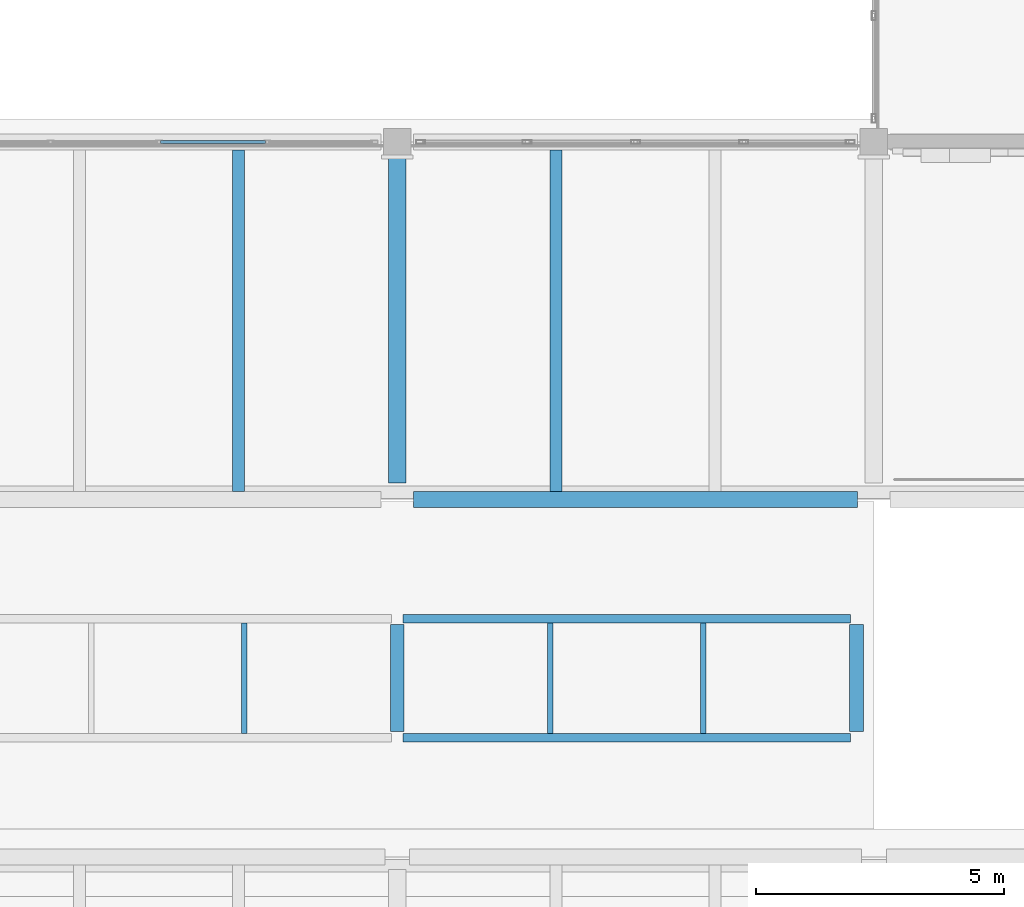
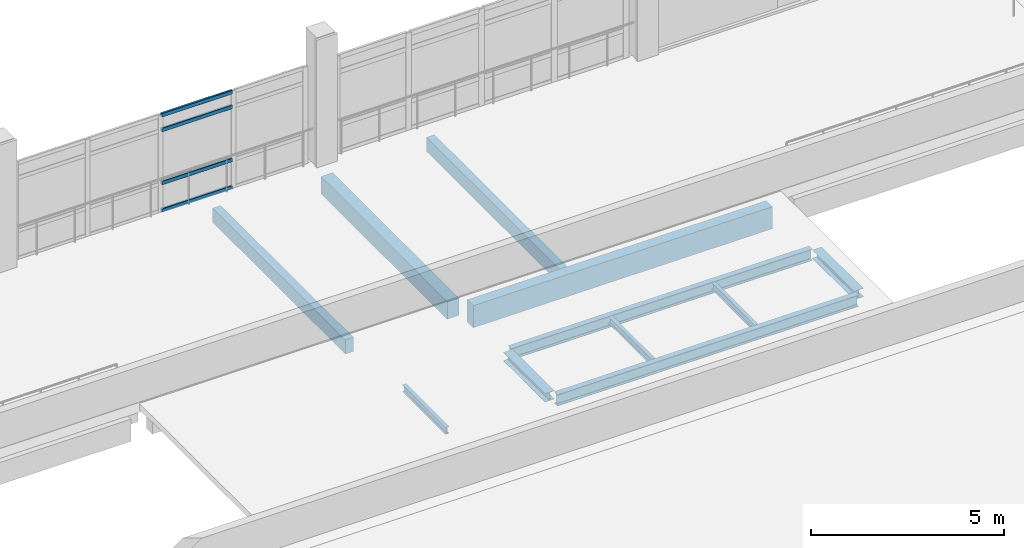
# One storey, part 11 of 50: 11 beams, 4 members, 1 element without a shape of its own.
"""IFC4 building model written with IfcOpenShell, lengths in metres."""

from ifc_helpers import new_model, si_unit, direction, frame, origin, origin_2d, place, context, subcontext, project, spatial, rectangle, hollow_rectangle, i_section, extrude, material, layer, layer_set, material_profile, profile_set, type_object, element, aggregate, save


model = new_model("IFC4")

# Units and contexts
model_context = context("Model", 3, precision=1e-05, world=origin(), true_north=direction((0.0, 1.0)))
body_context = subcontext(model_context, "Body", "Model", "MODEL_VIEW")
ifc_project = project(units=[si_unit("LENGTHUNIT", "METRE"), si_unit("AREAUNIT", "SQUARE_METRE"), si_unit("VOLUMEUNIT", "CUBIC_METRE"), si_unit("PLANEANGLEUNIT", "RADIAN"), si_unit("MASSUNIT", "GRAM", prefix="KILO")], contexts=[model_context])

# Site, building, storey
site_placement = place(None, origin())
site = spatial("IfcSite", under=ifc_project, at=site_placement, CompositionType="ELEMENT")
building_placement = place(site_placement, origin())
building = spatial("IfcBuilding", under=site, at=building_placement, Name="Asteropetra Specialist Clinic", CompositionType="ELEMENT")
storey_placement = place(building_placement, frame((0.0, 0.0, 16.659912109375)))
storey = spatial("IfcBuildingStorey", under=building, at=storey_placement, Name="L04", CompositionType="ELEMENT", Elevation=16.659912109375)

# Beams
ifc_material_1 = material(Name="Concrete C35/45", Category="concrete")
ifc_material_profile_1 = material_profile(ifc_material_1, rectangle(XDim=0.35009765625, YDim=0.550048828125, at=origin_2d()), Name="RCB 350x550")
ifc_profile_set_1 = profile_set([ifc_material_profile_1], Name="Concrete C35/45")
beam_type_1 = type_object("IfcBeamType", Name="BM-RC350x550", PredefinedType="BEAM", material=ifc_profile_set_1)
beam_1_placement = place(storey_placement, frame((19.199951171875, 69.925048828125, -0.5849609375), z_axis=(0.0, 1.0, 0.0), x_axis=(-1.0, 0.0, 0.0)))
element("IfcBeam", 1, at=beam_1_placement, inside=storey, type_object=beam_type_1, Name="Beam BBM10-1693", PredefinedType="BEAM", context=body_context, shape_type="SweptSolid", body=[
    extrude(rectangle(XDim=0.35009765625, YDim=0.550048828125, at=origin_2d()), origin(), (0.0, 0.0, 1.0), 6.550048828125),
])
ifc_material_2 = material(Name="Steel S355", Category="steel")
ifc_material_profile_2 = material_profile(ifc_material_2, i_section(OverallWidth=0.280029296875, OverallDepth=0.27001953125, WebThickness=0.008056640625, FlangeThickness=0.012939453125, FilletRadius=0.02392578125, at=origin_2d()), Name="HEA 280")
ifc_profile_set_2 = profile_set([ifc_material_profile_2], Name="Steel S355")
beam_type_2 = type_object("IfcBeamType", Name="BM-STL-HEA280", PredefinedType="BEAM", material=ifc_profile_set_2)
for number, where, z_axis, x_axis, name in (
    (2, (19.199951171875, 64.919921875, -0.324951171875), (0.0, 1.0, 0.0), (-1.0, 0.0, 0.0), "Beam BBMS6-1977"),
    (3, (28.449951171875, 64.919921875, -0.324951171875), (0.0, 1.0, 0.0), (-1.0, 0.0, 0.0), "Beam BBMS6-1978"),
):
    element("IfcBeam", number, at=place(storey_placement, frame(where, z_axis=z_axis, x_axis=x_axis)), inside=storey, type_object=beam_type_2, Name=name, PredefinedType="BEAM", context=body_context, shape_type="SweptSolid", body=[
        extrude(i_section(OverallWidth=0.280029296875, OverallDepth=0.27001953125, WebThickness=0.008056640625, FlangeThickness=0.012939453125, FilletRadius=0.02392578125, at=origin_2d()), origin(), (0.0, 0.0, 1.0), 2.16015625),
    ])
ifc_material_3 = material(Name="Steel S355", Category="steel")
ifc_material_profile_3 = material_profile(ifc_material_3, i_section(OverallWidth=0.169921875, OverallDepth=0.360107421875, WebThickness=0.008056640625, FlangeThickness=0.0126953125, FilletRadius=0.01806640625, at=origin_2d()), Name="IPE 360")
ifc_profile_set_3 = profile_set([ifc_material_profile_3], Name="Steel S355")
beam_type_3 = type_object("IfcBeamType", Name="BM-STL-IPE360", PredefinedType="BEAM", material=ifc_profile_set_3)
for number, where, z_axis, x_axis, name in (
    (4, (19.320068359375, 64.800048828125, -0.369873046875), (1.0, 0.0, 0.0), (0.0, 1.0, 0.0), "Beam BBMS4-1973"),
    (5, (19.320068359375, 67.199951171875, -0.369873046875), (1.0, 0.0, 0.0), (0.0, 1.0, 0.0), "Beam BBMS4-1975"),
):
    element("IfcBeam", number, at=place(storey_placement, frame(where, z_axis=z_axis, x_axis=x_axis)), inside=storey, type_object=beam_type_3, Name=name, PredefinedType="BEAM", context=body_context, shape_type="SweptSolid", body=[
        extrude(i_section(OverallWidth=0.169921875, OverallDepth=0.360107421875, WebThickness=0.008056640625, FlangeThickness=0.0126953125, FilletRadius=0.01806640625, at=origin_2d()), origin(), (0.0, 0.0, 1.0), 9.010009765625),
    ])

# Curtain wall, members
ifc_material_4 = material(Name="Aluminium and low-E glass", Category="aluminium")
ifc_layer = layer(ifc_material_4, 0.14990234375)
ifc_layer_set = layer_set([ifc_layer], Name="Aluminium and low-E glass")
curtain_wall_type = type_object("IfcCurtainWallType", Name="CW-SYS-02", PredefinedType="USERDEFINED", material=ifc_layer_set)
curtain_wall_placement = place(storey_placement, origin())
curtain_wall = element("IfcCurtainWall", 6, at=curtain_wall_placement, inside=storey, type_object=curtain_wall_type, Name="Curtain Wall CW-049", ObjectType="UNITISED CURTAIN WALL", PredefinedType="USERDEFINED")
ifc_material_5 = material(Name="Aluminium 6063-T6", Category="aluminium")
ifc_material_profile_4 = material_profile(ifc_material_5, hollow_rectangle(XDim=0.06494140625, YDim=0.1201171875, WallThickness=0.00390625, InnerFilletRadius=0.00390625, OuterFilletRadius=0.008056640625, at=origin_2d()), Name="TRN 120x65x4.0")
ifc_profile_set_4 = profile_set([ifc_material_profile_4], Name="Aluminium 6063-T6")
member_type = type_object("IfcMemberType", Name="CWT-120x65", PredefinedType="USERDEFINED", material=ifc_profile_set_4)
member_1_placement = place(storey_placement, frame((14.4326171875, 76.800048828125, 0.032470703125), z_axis=(1.0, 0.0, 0.0), x_axis=(0.0, 1.0, 0.0)))
member_1 = element("IfcMember", 7, at=member_1_placement, type_object=member_type, Name="CW-049 transom 3.1", ObjectType="TRANSOM", PredefinedType="USERDEFINED", context=body_context, shape_type="SweptSolid", body=[
    extrude(hollow_rectangle(XDim=0.06494140625, YDim=0.1201171875, WallThickness=0.00390625, InnerFilletRadius=0.00390625, OuterFilletRadius=0.008056640625, at=origin_2d()), origin(), (0.0, 0.0, 1.0), 2.117431640625),
])
member_2_placement = place(storey_placement, frame((14.4326171875, 76.800048828125, 0.900146484375), z_axis=(1.0, 0.0, 0.0), x_axis=(0.0, 1.0, 0.0)))
member_2 = element("IfcMember", 8, at=member_2_placement, type_object=member_type, Name="CW-049 transom 3.2", ObjectType="TRANSOM", PredefinedType="USERDEFINED", context=body_context, shape_type="SweptSolid", body=[
    extrude(hollow_rectangle(XDim=0.06494140625, YDim=0.1201171875, WallThickness=0.00390625, InnerFilletRadius=0.00390625, OuterFilletRadius=0.008056640625, at=origin_2d()), origin(), (0.0, 0.0, 1.0), 2.117431640625),
])
member_3_placement = place(storey_placement, frame((14.4326171875, 76.800048828125, 2.580078125), z_axis=(1.0, 0.0, 0.0), x_axis=(0.0, 1.0, 0.0)))
member_3 = element("IfcMember", 9, at=member_3_placement, type_object=member_type, Name="CW-049 transom 3.3", ObjectType="TRANSOM", PredefinedType="USERDEFINED", context=body_context, shape_type="SweptSolid", body=[
    extrude(hollow_rectangle(XDim=0.06494140625, YDim=0.1201171875, WallThickness=0.00390625, InnerFilletRadius=0.00390625, OuterFilletRadius=0.008056640625, at=origin_2d()), origin(), (0.0, 0.0, 1.0), 2.117431640625),
])
member_4_placement = place(storey_placement, frame((14.4326171875, 76.800048828125, 3.047607421875), z_axis=(1.0, 0.0, 0.0), x_axis=(0.0, 1.0, 0.0)))
member_4 = element("IfcMember", 10, at=member_4_placement, type_object=member_type, Name="CW-049 transom 3.4", ObjectType="TRANSOM", PredefinedType="USERDEFINED", context=body_context, shape_type="SweptSolid", body=[
    extrude(hollow_rectangle(XDim=0.06494140625, YDim=0.1201171875, WallThickness=0.00390625, InnerFilletRadius=0.00390625, OuterFilletRadius=0.008056640625, at=origin_2d()), origin(), (0.0, 0.0, 1.0), 2.117431640625),
])
aggregate(curtain_wall, [member_1, member_2, member_3, member_4])

# Beams
ifc_material_6 = material(Name="Concrete C35/45", Category="concrete")
ifc_material_profile_5 = material_profile(ifc_material_6, rectangle(XDim=0.239990234375, YDim=0.449951171875, at=origin_2d()), Name="RCJ 240x450")
ifc_profile_set_5 = profile_set([ifc_material_profile_5], Name="Concrete C35/45")
beam_type_4 = type_object("IfcBeamType", Name="JST-RC240x450", PredefinedType="JOIST", material=ifc_profile_set_5)
for number, where, z_axis, x_axis, name in (
    (11, (16.0, 69.760009765625, -0.534912109375), (0.0, 1.0, 0.0), (-1.0, 0.0, 0.0), "Joist JJST03-1699"),
    (12, (22.39990234375, 69.760009765625, -0.534912109375), (0.0, 1.0, 0.0), (-1.0, 0.0, 0.0), "Joist JJST03-1700"),
):
    element("IfcBeam", number, at=place(storey_placement, frame(where, z_axis=z_axis, x_axis=x_axis)), inside=storey, type_object=beam_type_4, Name=name, PredefinedType="JOIST", context=body_context, shape_type="SweptSolid", body=[
        extrude(rectangle(XDim=0.239990234375, YDim=0.449951171875, at=origin_2d()), origin(), (0.0, 0.0, 1.0), 6.8798828125),
    ])
ifc_material_7 = material(Name="Steel S355", Category="steel")
ifc_material_profile_6 = material_profile(ifc_material_7, i_section(OverallWidth=0.110107421875, OverallDepth=0.219970703125, WebThickness=0.005859375, FlangeThickness=0.00927734375, FilletRadius=0.011962890625, at=origin_2d()), Name="IPE 220")
ifc_profile_set_6 = profile_set([ifc_material_profile_6], Name="Steel S355")
beam_type_5 = type_object("IfcBeamType", Name="JST-STL-IPE220", PredefinedType="JOIST", material=ifc_profile_set_6)
for number, where, z_axis, x_axis, name in (
    (13, (16.11669921875, 64.885009765625, -0.2998046875), (0.0, 1.0, 0.0), (-1.0, 0.0, 0.0), "Joist JJSTS2-1980"),
    (14, (22.283203125, 64.885009765625, -0.2998046875), (0.0, 1.0, 0.0), (-1.0, 0.0, 0.0), "Joist JJSTS2-1981"),
    (15, (25.36669921875, 64.885009765625, -0.2998046875), (0.0, 1.0, 0.0), (-1.0, 0.0, 0.0), "Joist JJSTS2-1982"),
):
    element("IfcBeam", number, at=place(storey_placement, frame(where, z_axis=z_axis, x_axis=x_axis)), inside=storey, type_object=beam_type_5, Name=name, PredefinedType="JOIST", context=body_context, shape_type="SweptSolid", body=[
        extrude(i_section(OverallWidth=0.110107421875, OverallDepth=0.219970703125, WebThickness=0.005859375, FlangeThickness=0.00927734375, FilletRadius=0.011962890625, at=origin_2d()), origin(), (0.0, 0.0, 1.0), 2.22998046875),
    ])
ifc_material_8 = material(Name="Concrete C35/45", Category="concrete")
ifc_material_profile_7 = material_profile(ifc_material_8, rectangle(XDim=0.320068359375, YDim=0.699951171875, at=origin_2d()), Name="RCS 320x700")
ifc_profile_set_7 = profile_set([ifc_material_profile_7], Name="Concrete C35/45")
beam_type_6 = type_object("IfcBeamType", Name="SPN-RC320x700", PredefinedType="SPANDREL", material=ifc_profile_set_7)
beam_2_placement = place(storey_placement, frame((19.52490234375, 69.60009765625, -0.659912109375), z_axis=(1.0, 0.0, 0.0), x_axis=(0.0, 1.0, 0.0)))
element("IfcBeam", 16, at=beam_2_placement, inside=storey, type_object=beam_type_6, Name="Beam BSPN02-1685", PredefinedType="SPANDREL", context=body_context, shape_type="SweptSolid", body=[
    extrude(rectangle(XDim=0.320068359375, YDim=0.699951171875, at=origin_2d()), origin(), (0.0, 0.0, 1.0), 8.9501953125),
])

save(model, "model.ifc")
